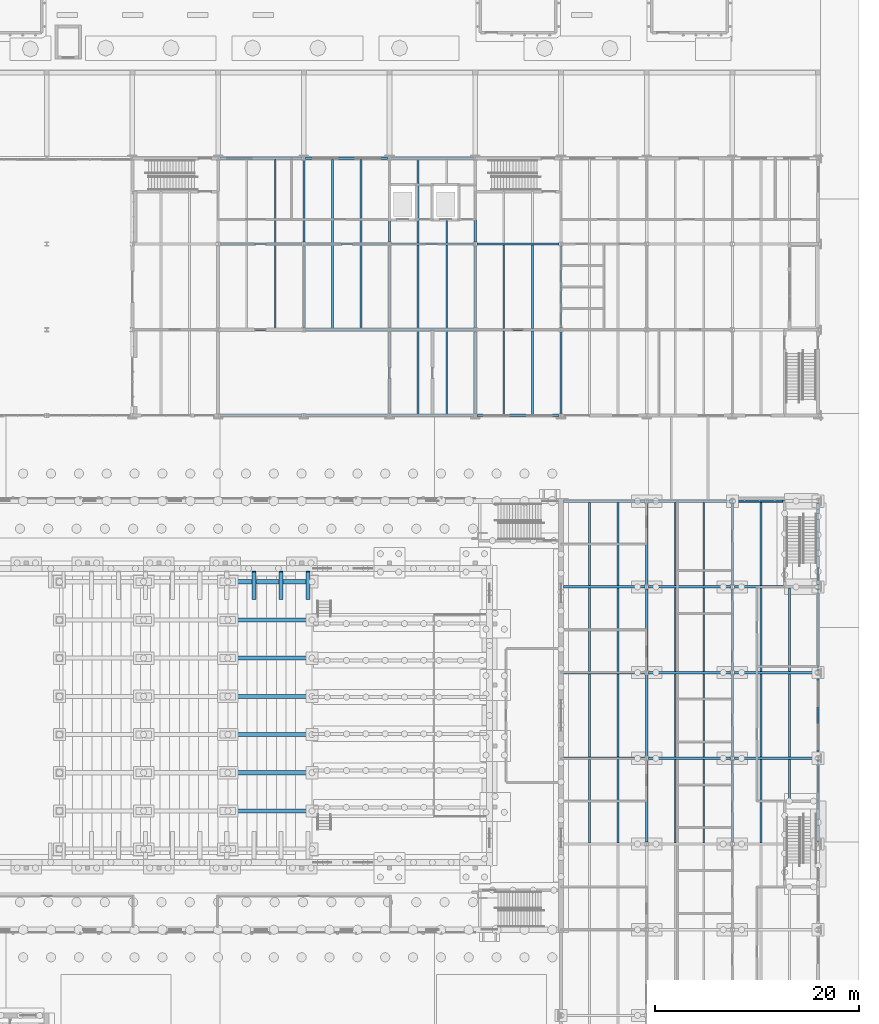
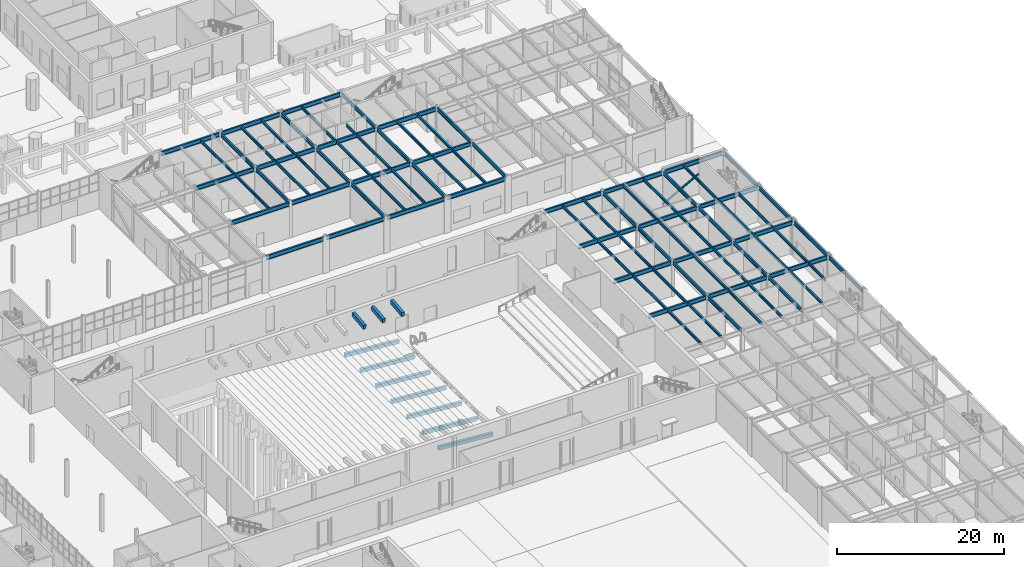
# One storey, part 43 of 127: 98 beams, 1 member.
"""IFC4 building model written with IfcOpenShell, lengths in metres."""

from ifc_helpers import new_model, si_unit, direction, frame, origin, origin_2d, place, context, subcontext, project, spatial, rectangle, hollow_rectangle, i_section, extrude, material, material_profile, profile_set, type_object, element, save


model = new_model("IFC4")

# Units and contexts
model_context = context("Model", 3, precision=1e-05, world=origin(), true_north=direction((0.0, 1.0)))
body_context = subcontext(model_context, "Body", "Model", "MODEL_VIEW")
ifc_project = project(units=[si_unit("LENGTHUNIT", "METRE"), si_unit("AREAUNIT", "SQUARE_METRE"), si_unit("VOLUMEUNIT", "CUBIC_METRE"), si_unit("PLANEANGLEUNIT", "RADIAN"), si_unit("MASSUNIT", "GRAM", prefix="KILO")], contexts=[model_context])

# Site, building, storey
site_placement = place(None, origin())
site = spatial("IfcSite", under=ifc_project, at=site_placement, CompositionType="ELEMENT")
building_placement = place(site_placement, origin())
building = spatial("IfcBuilding", under=site, at=building_placement, Name="Ljudholm Concert House", CompositionType="ELEMENT")
storey_placement = place(building_placement, origin())
storey = spatial("IfcBuildingStorey", under=building, at=storey_placement, Name="L00", CompositionType="ELEMENT", Elevation=0.0)

# Beams
ifc_material_1 = material(Name="Concrete 6,500 psi", Category="concrete")
ifc_material_profile_1 = material_profile(ifc_material_1, rectangle(XDim=0.39990234375, YDim=0.5, at=origin_2d()), Name="RC BEAM 400x500 BEAM")
ifc_profile_set_1 = profile_set([ifc_material_profile_1], Name="Concrete 6,500 psi")
beam_type_1 = type_object("IfcBeamType", Name="RC BEAM 400x500 BEAM", PredefinedType="BEAM", material=ifc_profile_set_1)
for number, where, z_axis, x_axis, name in (
    (1, (64.5, 66.04296875, 0.02099609375), (0.997113943984, 0.0, -0.075919580566), (0.0, 1.0, 0.0), "Ground beam"),
    (2, (64.5, 69.78564453125, 0.02099609375), (0.997113943984, 0.0, -0.075919580566), (0.0, 1.0, 0.0), "Ground beam"),
    (3, (64.5, 73.528564453125, 0.02099609375), (0.997113943984, 0.0, -0.075919580566), (0.0, 1.0, 0.0), "Ground beam"),
    (4, (64.5, 77.271484375, 0.02099609375), (0.997113943984, 0.0, -0.075919580566), (0.0, 1.0, 0.0), "Ground beam"),
    (5, (64.5, 81.014404296875, 0.02099609375), (0.997113943984, 0.0, -0.075919580566), (0.0, 1.0, 0.0), "Ground beam"),
    (6, (64.5, 84.757080078125, 0.02099609375), (0.997113943984, 0.0, -0.075919580566), (0.0, 1.0, 0.0), "Ground beam"),
    (7, (64.5, 88.5, 0.02099609375), (0.997113943984, 0.0, -0.075919580566), (0.0, 1.0, 0.0), "Ground beam"),
):
    element("IfcBeam", number, at=place(storey_placement, frame(where, z_axis=z_axis, x_axis=x_axis)), inside=storey, type_object=beam_type_1, Name=name, PredefinedType="BEAM", context=body_context, shape_type="SweptSolid", body=[
        extrude(rectangle(XDim=0.39990234375, YDim=0.5, at=origin_2d()), origin(), (0.0, 0.0, 1.0), 7.521728515625),
    ])
ifc_material_2 = material(Name="Concrete 6,500 psi", Category="concrete")
ifc_material_profile_2 = material_profile(ifc_material_2, rectangle(XDim=0.39990234375, YDim=0.60009765625, at=origin_2d()), Name="RC BEAM 400x600 BEAM")
ifc_profile_set_2 = profile_set([ifc_material_profile_2], Name="Concrete 6,500 psi")
beam_type_2 = type_object("IfcBeamType", Name="RC BEAM 400x600 BEAM", PredefinedType="BEAM", material=ifc_profile_set_2)
for number, where, z_axis, x_axis, name in (
    (8, (66.300048828125, 86.800048828125, 4.5), (0.0, 0.993881542506, 0.110451253797), (-1.0, 0.0, 0.0), "Gallery bracket beam"),
    (9, (68.949951171875, 86.800048828125, 4.5), (0.0, 0.993881542506, 0.110451253797), (-1.0, 0.0, 0.0), "Gallery bracket beam"),
    (10, (71.60009765625, 86.800048828125, 4.5), (0.0, 0.993881542506, 0.110451253797), (-1.0, 0.0, 0.0), "Gallery bracket beam"),
):
    element("IfcBeam", number, at=place(storey_placement, frame(where, z_axis=z_axis, x_axis=x_axis)), inside=storey, type_object=beam_type_2, Name=name, PredefinedType="BEAM", context=body_context, shape_type="SweptSolid", body=[
        extrude(rectangle(XDim=0.39990234375, YDim=0.60009765625, at=origin_2d()), origin(), (0.0, 0.0, 1.0), 2.716552734375),
    ])
ifc_material_3 = material(Name="Steel ASTM A992", Category="steel")
ifc_material_profile_3 = material_profile(ifc_material_3, i_section(OverallWidth=0.177734375, OverallDepth=0.406494140625, WebThickness=0.0078125, FlangeThickness=0.012939453125, FilletRadius=0.01025390625, at=origin_2d()), Name="W16X40")
ifc_profile_set_3 = profile_set([ifc_material_profile_3], Name="Steel ASTM A992")
beam_type_3 = type_object("IfcBeamType", Name="STEEL BEAM W16X40", PredefinedType="BEAM", material=ifc_profile_set_3)
for number, where, z_axis, x_axis, name in (
    (11, (99.199951171875, 62.91455078125, 5.016845703125), (0.0, 1.0, 0.0), (-1.0, 0.0, 0.0), "Beam BOH-L01-sb-99.2-62.8"),
    (12, (102.0, 62.91455078125, 5.016845703125), (0.0, 1.0, 0.0), (-1.0, 0.0, 0.0), "Beam BOH-L01-sb-102-62.8"),
    (13, (99.199951171875, 71.314453125, 5.016845703125), (0.0, 1.0, 0.0), (-1.0, 0.0, 0.0), "Beam BOH-L01-sb-99.2-71.2"),
    (14, (102.0, 71.314453125, 5.016845703125), (0.0, 1.0, 0.0), (-1.0, 0.0, 0.0), "Beam BOH-L01-sb-102-71.2"),
    (15, (99.199951171875, 79.714599609375, 5.016845703125), (0.0, 1.0, 0.0), (-1.0, 0.0, 0.0), "Beam BOH-L01-sb-99.2-79.6"),
    (16, (102.0, 79.714599609375, 5.016845703125), (0.0, 1.0, 0.0), (-1.0, 0.0, 0.0), "Beam BOH-L01-sb-102-79.6"),
    (17, (99.199951171875, 88.114501953125, 5.016845703125), (0.0, 1.0, 0.0), (-1.0, 0.0, 0.0), "Beam BOH-L01-sb-99.2-88"),
    (18, (102.0, 88.114501953125, 5.016845703125), (0.0, 1.0, 0.0), (-1.0, 0.0, 0.0), "Beam BOH-L01-sb-102-88"),
    (19, (107.60009765625, 62.91455078125, 5.016845703125), (0.0, 1.0, 0.0), (-1.0, 0.0, 0.0), "Beam BOH-L01-sb-107.6-62.8"),
    (20, (110.39990234375, 62.91455078125, 5.016845703125), (0.0, 1.0, 0.0), (-1.0, 0.0, 0.0), "Beam BOH-L01-sb-110.4-62.8"),
    (21, (107.60009765625, 71.314453125, 5.016845703125), (0.0, 1.0, 0.0), (-1.0, 0.0, 0.0), "Beam BOH-L01-sb-107.6-71.2"),
    (22, (110.39990234375, 71.314453125, 5.016845703125), (0.0, 1.0, 0.0), (-1.0, 0.0, 0.0), "Beam BOH-L01-sb-110.4-71.2"),
    (23, (107.60009765625, 79.714599609375, 5.016845703125), (0.0, 1.0, 0.0), (-1.0, 0.0, 0.0), "Beam BOH-L01-sb-107.6-79.6"),
    (24, (110.39990234375, 79.714599609375, 5.016845703125), (0.0, 1.0, 0.0), (-1.0, 0.0, 0.0), "Beam BOH-L01-sb-110.4-79.6"),
    (25, (107.60009765625, 88.114501953125, 5.016845703125), (0.0, 1.0, 0.0), (-1.0, 0.0, 0.0), "Beam BOH-L01-sb-107.6-88"),
    (26, (110.39990234375, 88.114501953125, 5.016845703125), (0.0, 1.0, 0.0), (-1.0, 0.0, 0.0), "Beam BOH-L01-sb-110.4-88"),
    (27, (116.0, 62.91455078125, 5.016845703125), (0.0, 1.0, 0.0), (-1.0, 0.0, 0.0), "Beam BOH-L01-sb-116-62.8"),
):
    element("IfcBeam", number, at=place(storey_placement, frame(where, z_axis=z_axis, x_axis=x_axis)), inside=storey, type_object=beam_type_3, Name=name, PredefinedType="BEAM", context=body_context, shape_type="SweptSolid", body=[
        extrude(i_section(OverallWidth=0.177734375, OverallDepth=0.406494140625, WebThickness=0.0078125, FlangeThickness=0.012939453125, FilletRadius=0.01025390625, at=origin_2d()), origin(), (0.0, 0.0, 1.0), 8.1708984375),
    ])
beam_1_placement = place(storey_placement, frame((118.800048828125, 67.0, 5.016845703125), z_axis=(0.0, 1.0, 0.0), x_axis=(-1.0, 0.0, 0.0)))
element("IfcBeam", 28, at=beam_1_placement, inside=storey, type_object=beam_type_3, Name="Beam BOH-L01-sb-118.8-62.8-1", PredefinedType="BEAM", context=body_context, shape_type="SweptSolid", body=[
    extrude(i_section(OverallWidth=0.177734375, OverallDepth=0.406494140625, WebThickness=0.0078125, FlangeThickness=0.012939453125, FilletRadius=0.01025390625, at=origin_2d()), origin(), (0.0, 0.0, 1.0), 4.08544921875),
])
for number, where, z_axis, x_axis, name in (
    (29, (116.0, 71.314453125, 5.016845703125), (0.0, 1.0, 0.0), (-1.0, 0.0, 0.0), "Beam BOH-L01-sb-116-71.2"),
    (30, (118.800048828125, 71.314453125, 5.016845703125), (0.0, 1.0, 0.0), (-1.0, 0.0, 0.0), "Beam BOH-L01-sb-118.8-71.2"),
    (31, (116.0, 79.714599609375, 5.016845703125), (0.0, 1.0, 0.0), (-1.0, 0.0, 0.0), "Beam BOH-L01-sb-116-79.6"),
    (32, (118.800048828125, 79.714599609375, 5.016845703125), (0.0, 1.0, 0.0), (-1.0, 0.0, 0.0), "Beam BOH-L01-sb-118.8-79.6"),
    (33, (116.0, 88.114501953125, 5.016845703125), (0.0, 1.0, 0.0), (-1.0, 0.0, 0.0), "Beam BOH-L01-sb-116-88"),
    (34, (68.39990234375, 113.314453125, 5.016845703125), (0.0, 1.0, 0.0), (-1.0, 0.0, 0.0), "Beam STUDIO-L01-sb-68.4-113.2"),
    (35, (68.39990234375, 121.714599609375, 5.016845703125), (0.0, 1.0, 0.0), (-1.0, 0.0, 0.0), "Beam STUDIO-L01-sb-68.4-121.6"),
    (36, (74.0, 113.314453125, 5.016845703125), (0.0, 1.0, 0.0), (-1.0, 0.0, 0.0), "Beam STUDIO-L01-sb-74-113.2"),
    (37, (76.800048828125, 113.314453125, 5.016845703125), (0.0, 1.0, 0.0), (-1.0, 0.0, 0.0), "Beam STUDIO-L01-sb-76.8-113.2"),
    (38, (74.0, 121.714599609375, 5.016845703125), (0.0, 1.0, 0.0), (-1.0, 0.0, 0.0), "Beam STUDIO-L01-sb-74-121.6"),
    (39, (76.800048828125, 121.714599609375, 5.016845703125), (0.0, 1.0, 0.0), (-1.0, 0.0, 0.0), "Beam STUDIO-L01-sb-76.8-121.6"),
    (40, (82.39990234375, 104.91455078125, 5.016845703125), (0.0, 1.0, 0.0), (-1.0, 0.0, 0.0), "Beam STUDIO-L01-sb-82.4-104.8"),
    (41, (85.199951171875, 104.91455078125, 5.016845703125), (0.0, 1.0, 0.0), (-1.0, 0.0, 0.0), "Beam STUDIO-L01-sb-85.2-104.8"),
    (42, (82.39990234375, 113.314453125, 5.016845703125), (0.0, 1.0, 0.0), (-1.0, 0.0, 0.0), "Beam STUDIO-L01-sb-82.4-113.2"),
    (43, (85.199951171875, 113.314453125, 5.016845703125), (0.0, 1.0, 0.0), (-1.0, 0.0, 0.0), "Beam STUDIO-L01-sb-85.2-113.2"),
    (44, (82.39990234375, 121.714599609375, 5.016845703125), (0.0, 1.0, 0.0), (-1.0, 0.0, 0.0), "Beam STUDIO-L01-sb-82.4-121.6"),
):
    element("IfcBeam", number, at=place(storey_placement, frame(where, z_axis=z_axis, x_axis=x_axis)), inside=storey, type_object=beam_type_3, Name=name, PredefinedType="BEAM", context=body_context, shape_type="SweptSolid", body=[
        extrude(i_section(OverallWidth=0.177734375, OverallDepth=0.406494140625, WebThickness=0.0078125, FlangeThickness=0.012939453125, FilletRadius=0.01025390625, at=origin_2d()), origin(), (0.0, 0.0, 1.0), 8.1708984375),
    ])
beam_2_placement = place(storey_placement, frame((85.199951171875, 121.714599609375, 5.016845703125), z_axis=(0.0, 1.0, 0.0), x_axis=(-1.0, 0.0, 0.0)))
element("IfcBeam", 45, at=beam_2_placement, inside=storey, type_object=beam_type_3, Name="Beam STUDIO-L01-sb-85.2-121.6-1", PredefinedType="BEAM", context=body_context, shape_type="SweptSolid", body=[
    extrude(i_section(OverallWidth=0.177734375, OverallDepth=0.406494140625, WebThickness=0.0078125, FlangeThickness=0.012939453125, FilletRadius=0.01025390625, at=origin_2d()), origin(), (0.0, 0.0, 1.0), 2.285400390625),
])
for number, where, z_axis, x_axis, name in (
    (46, (90.800048828125, 104.91455078125, 5.016845703125), (0.0, 1.0, 0.0), (-1.0, 0.0, 0.0), "Beam STUDIO-L01-sb-90.8-104.8"),
    (47, (93.60009765625, 104.91455078125, 5.016845703125), (0.0, 1.0, 0.0), (-1.0, 0.0, 0.0), "Beam STUDIO-L01-sb-93.6-104.8"),
    (48, (90.800048828125, 113.314453125, 5.016845703125), (0.0, 1.0, 0.0), (-1.0, 0.0, 0.0), "Beam STUDIO-L01-sb-90.8-113.2"),
    (49, (93.60009765625, 113.314453125, 5.016845703125), (0.0, 1.0, 0.0), (-1.0, 0.0, 0.0), "Beam STUDIO-L01-sb-93.6-113.2"),
):
    element("IfcBeam", number, at=place(storey_placement, frame(where, z_axis=z_axis, x_axis=x_axis)), inside=storey, type_object=beam_type_3, Name=name, PredefinedType="BEAM", context=body_context, shape_type="SweptSolid", body=[
        extrude(i_section(OverallWidth=0.177734375, OverallDepth=0.406494140625, WebThickness=0.0078125, FlangeThickness=0.012939453125, FilletRadius=0.01025390625, at=origin_2d()), origin(), (0.0, 0.0, 1.0), 8.1708984375),
    ])
ifc_material_4 = material(Name="Steel ASTM A992", Category="steel")
ifc_material_profile_4 = material_profile(ifc_material_4, i_section(OverallWidth=0.209228515625, OverallDepth=0.533447265625, WebThickness=0.01025390625, FlangeThickness=0.015625, FilletRadius=0.012939453125, at=origin_2d()), Name="W21X62")
ifc_profile_set_4 = profile_set([ifc_material_profile_4], Name="Steel ASTM A992")
beam_type_4 = type_object("IfcBeamType", Name="STEEL BEAM W21X62", PredefinedType="BEAM", material=ifc_profile_set_4)
beam_3_placement = place(storey_placement, frame((104.800048828125, 62.986572265625, 4.953369140625), z_axis=(0.0, 1.0, 0.0), x_axis=(-1.0, 0.0, 0.0)))
element("IfcBeam", 50, at=beam_3_placement, inside=storey, type_object=beam_type_4, Name="Beam BOH-L01-gy-104.8-62.8", PredefinedType="BEAM", context=body_context, shape_type="SweptSolid", body=[
    extrude(i_section(OverallWidth=0.209228515625, OverallDepth=0.533447265625, WebThickness=0.01025390625, FlangeThickness=0.015625, FilletRadius=0.012939453125, at=origin_2d()), origin(), (0.0, 0.0, 1.0), 8.02685546875),
])
for number, where, z_axis, x_axis, name in (
    (51, (104.800048828125, 71.38671875, 4.953369140625), (0.0, 1.0, 0.0), (-1.0, 0.0, 0.0), "Beam BOH-L01-gy-104.8-71.2"),
    (52, (104.800048828125, 79.78662109375, 4.953369140625), (0.0, 1.0, 0.0), (-1.0, 0.0, 0.0), "Beam BOH-L01-gy-104.8-79.6"),
    (53, (104.800048828125, 88.186767578125, 4.953369140625), (0.0, 1.0, 0.0), (-1.0, 0.0, 0.0), "Beam BOH-L01-gy-104.8-88"),
):
    element("IfcBeam", number, at=place(storey_placement, frame(where, z_axis=z_axis, x_axis=x_axis)), inside=storey, type_object=beam_type_4, Name=name, PredefinedType="BEAM", context=body_context, shape_type="SweptSolid", body=[
        extrude(i_section(OverallWidth=0.209228515625, OverallDepth=0.533447265625, WebThickness=0.01025390625, FlangeThickness=0.015625, FilletRadius=0.012939453125, at=origin_2d()), origin(), (0.0, 0.0, 1.0), 8.026611328125),
    ])
beam_4_placement = place(storey_placement, frame((113.199951171875, 62.986572265625, 4.953369140625), z_axis=(0.0, 1.0, 0.0), x_axis=(-1.0, 0.0, 0.0)))
element("IfcBeam", 54, at=beam_4_placement, inside=storey, type_object=beam_type_4, Name="Beam BOH-L01-gy-113.2-62.8", PredefinedType="BEAM", context=body_context, shape_type="SweptSolid", body=[
    extrude(i_section(OverallWidth=0.209228515625, OverallDepth=0.533447265625, WebThickness=0.01025390625, FlangeThickness=0.015625, FilletRadius=0.012939453125, at=origin_2d()), origin(), (0.0, 0.0, 1.0), 8.02685546875),
])
for number, where, z_axis, x_axis, name in (
    (55, (113.199951171875, 71.38671875, 4.953369140625), (0.0, 1.0, 0.0), (-1.0, 0.0, 0.0), "Beam BOH-L01-gy-113.2-71.2"),
    (56, (113.199951171875, 79.78662109375, 4.953369140625), (0.0, 1.0, 0.0), (-1.0, 0.0, 0.0), "Beam BOH-L01-gy-113.2-79.6"),
    (57, (113.199951171875, 88.186767578125, 4.953369140625), (0.0, 1.0, 0.0), (-1.0, 0.0, 0.0), "Beam BOH-L01-gy-113.2-88"),
):
    element("IfcBeam", number, at=place(storey_placement, frame(where, z_axis=z_axis, x_axis=x_axis)), inside=storey, type_object=beam_type_4, Name=name, PredefinedType="BEAM", context=body_context, shape_type="SweptSolid", body=[
        extrude(i_section(OverallWidth=0.209228515625, OverallDepth=0.533447265625, WebThickness=0.01025390625, FlangeThickness=0.015625, FilletRadius=0.012939453125, at=origin_2d()), origin(), (0.0, 0.0, 1.0), 8.026611328125),
    ])
beam_5_placement = place(storey_placement, frame((121.60009765625, 62.986572265625, 4.953369140625), z_axis=(0.0, 1.0, 0.0), x_axis=(-1.0, 0.0, 0.0)))
element("IfcBeam", 58, at=beam_5_placement, inside=storey, type_object=beam_type_4, Name="Beam BOH-L01-gy-121.6-62.8", PredefinedType="BEAM", context=body_context, shape_type="SweptSolid", body=[
    extrude(i_section(OverallWidth=0.209228515625, OverallDepth=0.533447265625, WebThickness=0.01025390625, FlangeThickness=0.015625, FilletRadius=0.012939453125, at=origin_2d()), origin(), (0.0, 0.0, 1.0), 8.02685546875),
])
for number, where, z_axis, x_axis, name in (
    (59, (121.60009765625, 71.38671875, 4.953369140625), (0.0, 1.0, 0.0), (-1.0, 0.0, 0.0), "Beam BOH-L01-gy-121.6-71.2"),
    (60, (121.60009765625, 79.78662109375, 4.953369140625), (0.0, 1.0, 0.0), (-1.0, 0.0, 0.0), "Beam BOH-L01-gy-121.6-79.6"),
    (61, (121.60009765625, 88.186767578125, 4.953369140625), (0.0, 1.0, 0.0), (-1.0, 0.0, 0.0), "Beam BOH-L01-gy-121.6-88"),
    (62, (71.199951171875, 113.38671875, 4.953369140625), (0.0, 1.0, 0.0), (-1.0, 0.0, 0.0), "Beam STUDIO-L01-gy-71.2-113.2"),
    (63, (71.199951171875, 121.78662109375, 4.953369140625), (0.0, 1.0, 0.0), (-1.0, 0.0, 0.0), "Beam STUDIO-L01-gy-71.2-121.6"),
):
    element("IfcBeam", number, at=place(storey_placement, frame(where, z_axis=z_axis, x_axis=x_axis)), inside=storey, type_object=beam_type_4, Name=name, PredefinedType="BEAM", context=body_context, shape_type="SweptSolid", body=[
        extrude(i_section(OverallWidth=0.209228515625, OverallDepth=0.533447265625, WebThickness=0.01025390625, FlangeThickness=0.015625, FilletRadius=0.012939453125, at=origin_2d()), origin(), (0.0, 0.0, 1.0), 8.026611328125),
    ])
beam_6_placement = place(storey_placement, frame((79.60009765625, 104.986572265625, 4.953369140625), z_axis=(0.0, 1.0, 0.0), x_axis=(-1.0, 0.0, 0.0)))
element("IfcBeam", 64, at=beam_6_placement, inside=storey, type_object=beam_type_4, Name="Beam STUDIO-L01-gy-79.6-104.8", PredefinedType="BEAM", context=body_context, shape_type="SweptSolid", body=[
    extrude(i_section(OverallWidth=0.209228515625, OverallDepth=0.533447265625, WebThickness=0.01025390625, FlangeThickness=0.015625, FilletRadius=0.012939453125, at=origin_2d()), origin(), (0.0, 0.0, 1.0), 8.02685546875),
])
for number, where, z_axis, x_axis, name in (
    (65, (79.60009765625, 113.38671875, 4.953369140625), (0.0, 1.0, 0.0), (-1.0, 0.0, 0.0), "Beam STUDIO-L01-gy-79.6-113.2"),
    (66, (79.60009765625, 121.78662109375, 4.953369140625), (0.0, 1.0, 0.0), (-1.0, 0.0, 0.0), "Beam STUDIO-L01-gy-79.6-121.6"),
):
    element("IfcBeam", number, at=place(storey_placement, frame(where, z_axis=z_axis, x_axis=x_axis)), inside=storey, type_object=beam_type_4, Name=name, PredefinedType="BEAM", context=body_context, shape_type="SweptSolid", body=[
        extrude(i_section(OverallWidth=0.209228515625, OverallDepth=0.533447265625, WebThickness=0.01025390625, FlangeThickness=0.015625, FilletRadius=0.012939453125, at=origin_2d()), origin(), (0.0, 0.0, 1.0), 8.026611328125),
    ])
beam_7_placement = place(storey_placement, frame((88.0, 104.986572265625, 4.953369140625), z_axis=(0.0, 1.0, 0.0), x_axis=(-1.0, 0.0, 0.0)))
element("IfcBeam", 67, at=beam_7_placement, inside=storey, type_object=beam_type_4, Name="Beam STUDIO-L01-gy-88-104.8", PredefinedType="BEAM", context=body_context, shape_type="SweptSolid", body=[
    extrude(i_section(OverallWidth=0.209228515625, OverallDepth=0.533447265625, WebThickness=0.01025390625, FlangeThickness=0.015625, FilletRadius=0.012939453125, at=origin_2d()), origin(), (0.0, 0.0, 1.0), 8.02685546875),
])
for number, where, z_axis, x_axis, name in (
    (68, (88.0, 113.38671875, 4.953369140625), (0.0, 1.0, 0.0), (-1.0, 0.0, 0.0), "Beam STUDIO-L01-gy-88-113.2"),
    (69, (88.0, 121.78662109375, 4.953369140625), (0.0, 1.0, 0.0), (-1.0, 0.0, 0.0), "Beam STUDIO-L01-gy-88-121.6"),
):
    element("IfcBeam", number, at=place(storey_placement, frame(where, z_axis=z_axis, x_axis=x_axis)), inside=storey, type_object=beam_type_4, Name=name, PredefinedType="BEAM", context=body_context, shape_type="SweptSolid", body=[
        extrude(i_section(OverallWidth=0.209228515625, OverallDepth=0.533447265625, WebThickness=0.01025390625, FlangeThickness=0.015625, FilletRadius=0.012939453125, at=origin_2d()), origin(), (0.0, 0.0, 1.0), 8.026611328125),
    ])
beam_8_placement = place(storey_placement, frame((96.39990234375, 104.986572265625, 4.953369140625), z_axis=(0.0, 1.0, 0.0), x_axis=(-1.0, 0.0, 0.0)))
element("IfcBeam", 70, at=beam_8_placement, inside=storey, type_object=beam_type_4, Name="Beam STUDIO-L01-gy-96.4-104.8", PredefinedType="BEAM", context=body_context, shape_type="SweptSolid", body=[
    extrude(i_section(OverallWidth=0.209228515625, OverallDepth=0.533447265625, WebThickness=0.01025390625, FlangeThickness=0.015625, FilletRadius=0.012939453125, at=origin_2d()), origin(), (0.0, 0.0, 1.0), 8.02685546875),
])
beam_9_placement = place(storey_placement, frame((96.39990234375, 113.38671875, 4.953369140625), z_axis=(0.0, 1.0, 0.0), x_axis=(-1.0, 0.0, 0.0)))
element("IfcBeam", 71, at=beam_9_placement, inside=storey, type_object=beam_type_4, Name="Beam STUDIO-L01-gy-96.4-113.2", PredefinedType="BEAM", context=body_context, shape_type="SweptSolid", body=[
    extrude(i_section(OverallWidth=0.209228515625, OverallDepth=0.533447265625, WebThickness=0.01025390625, FlangeThickness=0.015625, FilletRadius=0.012939453125, at=origin_2d()), origin(), (0.0, 0.0, 1.0), 8.026611328125),
])
ifc_material_5 = material(Name="Steel ASTM A992", Category="steel")
ifc_material_profile_5 = material_profile(ifc_material_5, i_section(OverallWidth=0.22900390625, OverallDepth=0.612060546875, WebThickness=0.011962890625, FlangeThickness=0.01953125, FilletRadius=0.0126953125, at=origin_2d()), Name="W24X84")
ifc_profile_set_5 = profile_set([ifc_material_profile_5], Name="Steel ASTM A992")
beam_type_5 = type_object("IfcBeamType", Name="STEEL BEAM W24X84", PredefinedType="BEAM", material=ifc_profile_set_5)
beam_10_placement = place(storey_placement, frame((96.64990234375, 71.199951171875, 4.913818359375), z_axis=(1.0, 0.0, 0.0), x_axis=(0.0, 1.0, 0.0)))
element("IfcBeam", 72, at=beam_10_placement, inside=storey, type_object=beam_type_5, Name="Beam BOH-L01-gx-96.4-71.2", PredefinedType="BEAM", context=body_context, shape_type="SweptSolid", body=[
    extrude(i_section(OverallWidth=0.22900390625, OverallDepth=0.612060546875, WebThickness=0.011962890625, FlangeThickness=0.01953125, FilletRadius=0.0126953125, at=origin_2d()), origin(), (0.0, 0.0, 1.0), 7.96337890625),
])
beam_11_placement = place(storey_placement, frame((104.986572265625, 71.199951171875, 4.913818359375), z_axis=(1.0, 0.0, 0.0), x_axis=(0.0, 1.0, 0.0)))
element("IfcBeam", 73, at=beam_11_placement, inside=storey, type_object=beam_type_5, Name="Beam BOH-L01-gx-104.8-71.2", PredefinedType="BEAM", context=body_context, shape_type="SweptSolid", body=[
    extrude(i_section(OverallWidth=0.22900390625, OverallDepth=0.612060546875, WebThickness=0.011962890625, FlangeThickness=0.01953125, FilletRadius=0.0126953125, at=origin_2d()), origin(), (0.0, 0.0, 1.0), 8.02685546875),
])
beam_12_placement = place(storey_placement, frame((113.38671875, 71.199951171875, 4.913818359375), z_axis=(1.0, 0.0, 0.0), x_axis=(0.0, 1.0, 0.0)))
element("IfcBeam", 74, at=beam_12_placement, inside=storey, type_object=beam_type_5, Name="Beam BOH-L01-gx-113.2-71.2", PredefinedType="BEAM", context=body_context, shape_type="SweptSolid", body=[
    extrude(i_section(OverallWidth=0.22900390625, OverallDepth=0.612060546875, WebThickness=0.011962890625, FlangeThickness=0.01953125, FilletRadius=0.0126953125, at=origin_2d()), origin(), (0.0, 0.0, 1.0), 8.026611328125),
])
beam_13_placement = place(storey_placement, frame((96.64990234375, 79.60009765625, 4.913818359375), z_axis=(1.0, 0.0, 0.0), x_axis=(0.0, 1.0, 0.0)))
element("IfcBeam", 75, at=beam_13_placement, inside=storey, type_object=beam_type_5, Name="Beam BOH-L01-gx-96.4-79.6", PredefinedType="BEAM", context=body_context, shape_type="SweptSolid", body=[
    extrude(i_section(OverallWidth=0.22900390625, OverallDepth=0.612060546875, WebThickness=0.011962890625, FlangeThickness=0.01953125, FilletRadius=0.0126953125, at=origin_2d()), origin(), (0.0, 0.0, 1.0), 7.96337890625),
])
beam_14_placement = place(storey_placement, frame((104.986572265625, 79.60009765625, 4.913818359375), z_axis=(1.0, 0.0, 0.0), x_axis=(0.0, 1.0, 0.0)))
element("IfcBeam", 76, at=beam_14_placement, inside=storey, type_object=beam_type_5, Name="Beam BOH-L01-gx-104.8-79.6", PredefinedType="BEAM", context=body_context, shape_type="SweptSolid", body=[
    extrude(i_section(OverallWidth=0.22900390625, OverallDepth=0.612060546875, WebThickness=0.011962890625, FlangeThickness=0.01953125, FilletRadius=0.0126953125, at=origin_2d()), origin(), (0.0, 0.0, 1.0), 8.02685546875),
])
beam_15_placement = place(storey_placement, frame((113.38671875, 79.60009765625, 4.913818359375), z_axis=(1.0, 0.0, 0.0), x_axis=(0.0, 1.0, 0.0)))
element("IfcBeam", 77, at=beam_15_placement, inside=storey, type_object=beam_type_5, Name="Beam BOH-L01-gx-113.2-79.6", PredefinedType="BEAM", context=body_context, shape_type="SweptSolid", body=[
    extrude(i_section(OverallWidth=0.22900390625, OverallDepth=0.612060546875, WebThickness=0.011962890625, FlangeThickness=0.01953125, FilletRadius=0.0126953125, at=origin_2d()), origin(), (0.0, 0.0, 1.0), 8.026611328125),
])
beam_16_placement = place(storey_placement, frame((96.64990234375, 88.0, 4.913818359375), z_axis=(1.0, 0.0, 0.0), x_axis=(0.0, 1.0, 0.0)))
element("IfcBeam", 78, at=beam_16_placement, inside=storey, type_object=beam_type_5, Name="Beam BOH-L01-gx-96.4-88", PredefinedType="BEAM", context=body_context, shape_type="SweptSolid", body=[
    extrude(i_section(OverallWidth=0.22900390625, OverallDepth=0.612060546875, WebThickness=0.011962890625, FlangeThickness=0.01953125, FilletRadius=0.0126953125, at=origin_2d()), origin(), (0.0, 0.0, 1.0), 7.96337890625),
])
beam_17_placement = place(storey_placement, frame((104.986572265625, 88.0, 4.913818359375), z_axis=(1.0, 0.0, 0.0), x_axis=(0.0, 1.0, 0.0)))
element("IfcBeam", 79, at=beam_17_placement, inside=storey, type_object=beam_type_5, Name="Beam BOH-L01-gx-104.8-88", PredefinedType="BEAM", context=body_context, shape_type="SweptSolid", body=[
    extrude(i_section(OverallWidth=0.22900390625, OverallDepth=0.612060546875, WebThickness=0.011962890625, FlangeThickness=0.01953125, FilletRadius=0.0126953125, at=origin_2d()), origin(), (0.0, 0.0, 1.0), 8.02685546875),
])
beam_18_placement = place(storey_placement, frame((113.38671875, 88.0, 4.913818359375), z_axis=(1.0, 0.0, 0.0), x_axis=(0.0, 1.0, 0.0)))
element("IfcBeam", 80, at=beam_18_placement, inside=storey, type_object=beam_type_5, Name="Beam BOH-L01-gx-113.2-88", PredefinedType="BEAM", context=body_context, shape_type="SweptSolid", body=[
    extrude(i_section(OverallWidth=0.22900390625, OverallDepth=0.612060546875, WebThickness=0.011962890625, FlangeThickness=0.01953125, FilletRadius=0.0126953125, at=origin_2d()), origin(), (0.0, 0.0, 1.0), 8.026611328125),
])
beam_19_placement = place(storey_placement, frame((96.64990234375, 96.39990234375, 4.913818359375), z_axis=(1.0, 0.0, 0.0), x_axis=(0.0, 1.0, 0.0)))
element("IfcBeam", 81, at=beam_19_placement, inside=storey, type_object=beam_type_5, Name="Beam BOH-L01-gx-96.4-96.4", PredefinedType="BEAM", context=body_context, shape_type="SweptSolid", body=[
    extrude(i_section(OverallWidth=0.22900390625, OverallDepth=0.612060546875, WebThickness=0.011962890625, FlangeThickness=0.01953125, FilletRadius=0.0126953125, at=origin_2d()), origin(), (0.0, 0.0, 1.0), 7.96337890625),
])
beam_20_placement = place(storey_placement, frame((104.986572265625, 96.39990234375, 4.913818359375), z_axis=(1.0, 0.0, 0.0), x_axis=(0.0, 1.0, 0.0)))
element("IfcBeam", 82, at=beam_20_placement, inside=storey, type_object=beam_type_5, Name="Beam BOH-L01-gx-104.8-96.4", PredefinedType="BEAM", context=body_context, shape_type="SweptSolid", body=[
    extrude(i_section(OverallWidth=0.22900390625, OverallDepth=0.612060546875, WebThickness=0.011962890625, FlangeThickness=0.01953125, FilletRadius=0.0126953125, at=origin_2d()), origin(), (0.0, 0.0, 1.0), 8.02685546875),
])
beam_21_placement = place(storey_placement, frame((113.38671875, 96.39990234375, 4.913818359375), z_axis=(1.0, 0.0, 0.0), x_axis=(0.0, 1.0, 0.0)))
element("IfcBeam", 83, at=beam_21_placement, inside=storey, type_object=beam_type_5, Name="Beam BOH-L01-gx-113.2-96.4", PredefinedType="BEAM", context=body_context, shape_type="SweptSolid", body=[
    extrude(i_section(OverallWidth=0.22900390625, OverallDepth=0.612060546875, WebThickness=0.011962890625, FlangeThickness=0.01953125, FilletRadius=0.0126953125, at=origin_2d()), origin(), (0.0, 0.0, 1.0), 8.026611328125),
])
beam_22_placement = place(storey_placement, frame((62.986572265625, 104.800048828125, 4.913818359375), z_axis=(1.0, 0.0, 0.0), x_axis=(0.0, 1.0, 0.0)))
element("IfcBeam", 84, at=beam_22_placement, inside=storey, type_object=beam_type_5, Name="Beam STUDIO-L01-gx-62.8-104.8", PredefinedType="BEAM", context=body_context, shape_type="SweptSolid", body=[
    extrude(i_section(OverallWidth=0.22900390625, OverallDepth=0.612060546875, WebThickness=0.011962890625, FlangeThickness=0.01953125, FilletRadius=0.0126953125, at=origin_2d()), origin(), (0.0, 0.0, 1.0), 8.02685546875),
])
for number, where, z_axis, x_axis, name in (
    (85, (71.38671875, 104.800048828125, 4.913818359375), (1.0, 0.0, 0.0), (0.0, 1.0, 0.0), "Beam STUDIO-L01-gx-71.2-104.8"),
    (86, (79.78662109375, 104.800048828125, 4.913818359375), (1.0, 0.0, 0.0), (0.0, 1.0, 0.0), "Beam STUDIO-L01-gx-79.6-104.8"),
    (87, (88.186767578125, 104.800048828125, 4.913818359375), (1.0, 0.0, 0.0), (0.0, 1.0, 0.0), "Beam STUDIO-L01-gx-88-104.8"),
):
    element("IfcBeam", number, at=place(storey_placement, frame(where, z_axis=z_axis, x_axis=x_axis)), inside=storey, type_object=beam_type_5, Name=name, PredefinedType="BEAM", context=body_context, shape_type="SweptSolid", body=[
        extrude(i_section(OverallWidth=0.22900390625, OverallDepth=0.612060546875, WebThickness=0.011962890625, FlangeThickness=0.01953125, FilletRadius=0.0126953125, at=origin_2d()), origin(), (0.0, 0.0, 1.0), 8.026611328125),
    ])
beam_23_placement = place(storey_placement, frame((62.986572265625, 113.199951171875, 4.913818359375), z_axis=(1.0, 0.0, 0.0), x_axis=(0.0, 1.0, 0.0)))
element("IfcBeam", 88, at=beam_23_placement, inside=storey, type_object=beam_type_5, Name="Beam STUDIO-L01-gx-62.8-113.2", PredefinedType="BEAM", context=body_context, shape_type="SweptSolid", body=[
    extrude(i_section(OverallWidth=0.22900390625, OverallDepth=0.612060546875, WebThickness=0.011962890625, FlangeThickness=0.01953125, FilletRadius=0.0126953125, at=origin_2d()), origin(), (0.0, 0.0, 1.0), 8.02685546875),
])
for number, where, z_axis, x_axis, name in (
    (89, (71.38671875, 113.199951171875, 4.913818359375), (1.0, 0.0, 0.0), (0.0, 1.0, 0.0), "Beam STUDIO-L01-gx-71.2-113.2"),
    (90, (79.78662109375, 113.199951171875, 4.913818359375), (1.0, 0.0, 0.0), (0.0, 1.0, 0.0), "Beam STUDIO-L01-gx-79.6-113.2"),
    (91, (88.186767578125, 113.199951171875, 4.913818359375), (1.0, 0.0, 0.0), (0.0, 1.0, 0.0), "Beam STUDIO-L01-gx-88-113.2"),
):
    element("IfcBeam", number, at=place(storey_placement, frame(where, z_axis=z_axis, x_axis=x_axis)), inside=storey, type_object=beam_type_5, Name=name, PredefinedType="BEAM", context=body_context, shape_type="SweptSolid", body=[
        extrude(i_section(OverallWidth=0.22900390625, OverallDepth=0.612060546875, WebThickness=0.011962890625, FlangeThickness=0.01953125, FilletRadius=0.0126953125, at=origin_2d()), origin(), (0.0, 0.0, 1.0), 8.026611328125),
    ])
beam_24_placement = place(storey_placement, frame((62.986572265625, 121.60009765625, 4.913818359375), z_axis=(1.0, 0.0, 0.0), x_axis=(0.0, 1.0, 0.0)))
element("IfcBeam", 92, at=beam_24_placement, inside=storey, type_object=beam_type_5, Name="Beam STUDIO-L01-gx-62.8-121.6", PredefinedType="BEAM", context=body_context, shape_type="SweptSolid", body=[
    extrude(i_section(OverallWidth=0.22900390625, OverallDepth=0.612060546875, WebThickness=0.011962890625, FlangeThickness=0.01953125, FilletRadius=0.0126953125, at=origin_2d()), origin(), (0.0, 0.0, 1.0), 8.02685546875),
])
for number, where, z_axis, x_axis, name in (
    (93, (71.38671875, 121.60009765625, 4.913818359375), (1.0, 0.0, 0.0), (0.0, 1.0, 0.0), "Beam STUDIO-L01-gx-71.2-121.6"),
    (94, (79.78662109375, 121.60009765625, 4.913818359375), (1.0, 0.0, 0.0), (0.0, 1.0, 0.0), "Beam STUDIO-L01-gx-79.6-121.6"),
    (95, (88.186767578125, 121.60009765625, 4.913818359375), (1.0, 0.0, 0.0), (0.0, 1.0, 0.0), "Beam STUDIO-L01-gx-88-121.6"),
):
    element("IfcBeam", number, at=place(storey_placement, frame(where, z_axis=z_axis, x_axis=x_axis)), inside=storey, type_object=beam_type_5, Name=name, PredefinedType="BEAM", context=body_context, shape_type="SweptSolid", body=[
        extrude(i_section(OverallWidth=0.22900390625, OverallDepth=0.612060546875, WebThickness=0.011962890625, FlangeThickness=0.01953125, FilletRadius=0.0126953125, at=origin_2d()), origin(), (0.0, 0.0, 1.0), 8.026611328125),
    ])
beam_25_placement = place(storey_placement, frame((62.986572265625, 130.0, 4.913818359375), z_axis=(1.0, 0.0, 0.0), x_axis=(0.0, 1.0, 0.0)))
element("IfcBeam", 96, at=beam_25_placement, inside=storey, type_object=beam_type_5, Name="Beam STUDIO-L01-gx-62.8-130", PredefinedType="BEAM", context=body_context, shape_type="SweptSolid", body=[
    extrude(i_section(OverallWidth=0.22900390625, OverallDepth=0.612060546875, WebThickness=0.011962890625, FlangeThickness=0.01953125, FilletRadius=0.0126953125, at=origin_2d()), origin(), (0.0, 0.0, 1.0), 8.02685546875),
])
for number, where, z_axis, x_axis, name in (
    (97, (71.38671875, 130.0, 4.913818359375), (1.0, 0.0, 0.0), (0.0, 1.0, 0.0), "Beam STUDIO-L01-gx-71.2-130"),
    (98, (79.78662109375, 130.0, 4.913818359375), (1.0, 0.0, 0.0), (0.0, 1.0, 0.0), "Beam STUDIO-L01-gx-79.6-130"),
):
    element("IfcBeam", number, at=place(storey_placement, frame(where, z_axis=z_axis, x_axis=x_axis)), inside=storey, type_object=beam_type_5, Name=name, PredefinedType="BEAM", context=body_context, shape_type="SweptSolid", body=[
        extrude(i_section(OverallWidth=0.22900390625, OverallDepth=0.612060546875, WebThickness=0.011962890625, FlangeThickness=0.01953125, FilletRadius=0.0126953125, at=origin_2d()), origin(), (0.0, 0.0, 1.0), 8.026611328125),
    ])

# Member
ifc_material_6 = material(Name="Steel ASTM A500 Gr. C", Category="steel")
ifc_material_profile_6 = material_profile(ifc_material_6, hollow_rectangle(XDim=0.203125, YDim=0.203125, WallThickness=0.01171875, InnerFilletRadius=0.005859375, OuterFilletRadius=0.017822265625, at=origin_2d()), Name="HSS8X8X1/2")
ifc_profile_set_6 = profile_set([ifc_material_profile_6], Name="Steel ASTM A500 Gr. C")
member_type = type_object("IfcMemberType", Name="STEEL MEMBER HSS8X8X1/2 BRACE", PredefinedType="BRACE", material=ifc_profile_set_6)
member_placement = place(storey_placement, frame((113.199951171875, 96.39990234375, 0.300048828125), z_axis=(0.876220484412, 0.0, 0.48191043016), x_axis=(0.0, 1.0, 0.0)))
element("IfcMember", 99, at=member_placement, inside=storey, type_object=member_type, Name="Brace", PredefinedType="BRACE", context=body_context, shape_type="SweptSolid", body=[
    extrude(hollow_rectangle(XDim=0.203125, YDim=0.203125, WallThickness=0.01171875, InnerFilletRadius=0.005859375, OuterFilletRadius=0.017822265625, at=origin_2d()), origin(), (0.0, 0.0, 1.0), 5.632568359375),
])

save(model, "model.ifc")
